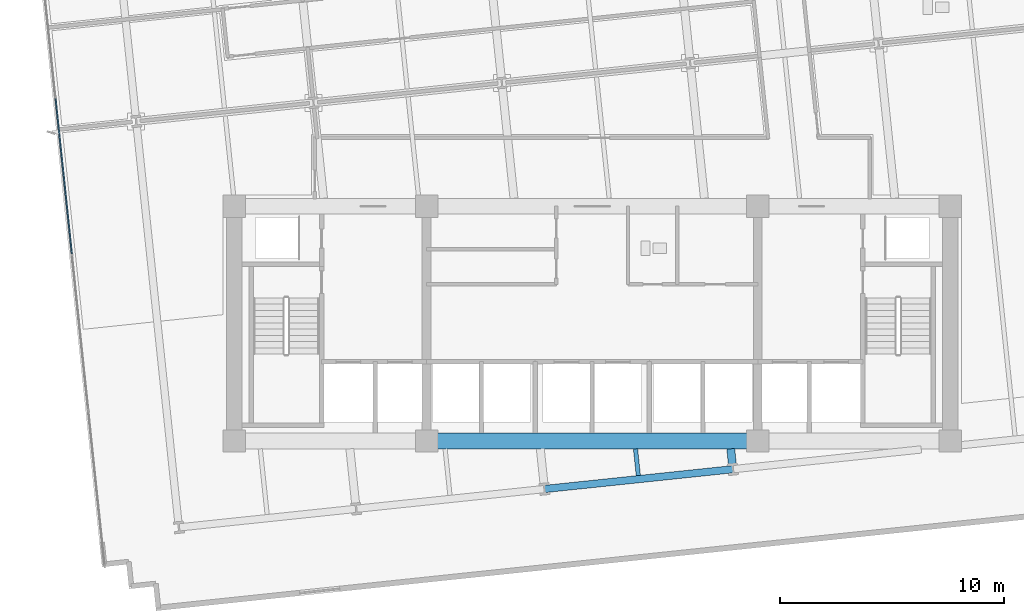
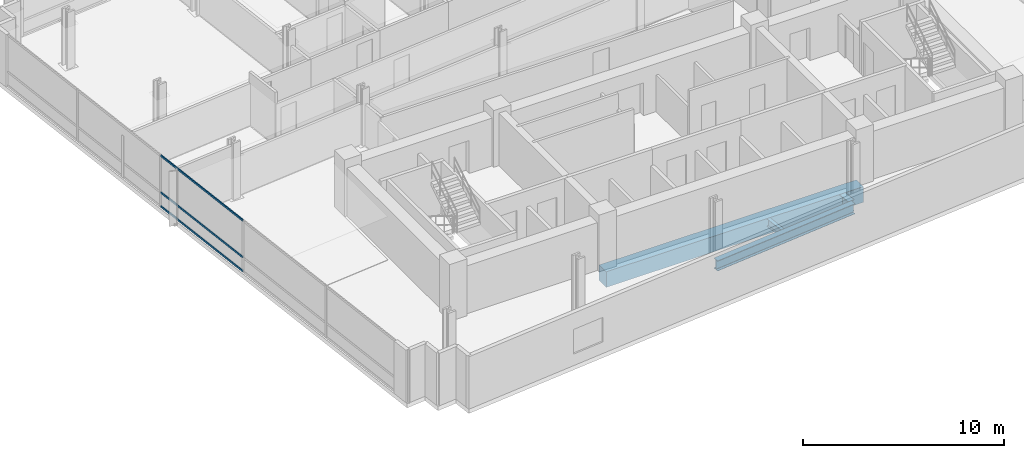
# One storey, part 3 of 21: 4 beams, 3 members, 1 element without a shape of its own.
"""IFC4 building model written with IfcOpenShell, lengths in metres."""

import ifcopenshell
import ifcopenshell.guid

model = None  # the IFC model being written
_history = None  # IfcOwnerHistory: only IFC2X3 demands one
_inside = {}  # id of a spatial element -> (the spatial element, [elements in it])
_under = {}  # id of a project, library or spatial element -> (it, [spatial elements below it])
_declared = {}  # id of a project -> (the project, [libraries it declares])
_typed = {}  # id of a type object -> (the type object, [elements of that type])
_made_of = {}  # id of a material, layer set ... -> (it, [elements and type objects made of it])


def new_model(schema):
    """Start an empty IFC model of exactly this schema.

    Asked for "IFC4X3", IfcOpenShell would pick the latest addendum, in which some entities
    have other attributes; the version numbers below select the first issue.
    IFC2X3 requires an IfcOwnerHistory on every rooted entity: one is made here for all.
    """
    global model, _history
    if schema == "IFC4X3":
        model = ifcopenshell.file(schema_version=(4, 3, 0, 0))
    else:
        model = ifcopenshell.file(schema=schema)
    _inside.clear()
    _under.clear()
    _declared.clear()
    _typed.clear()
    _made_of.clear()
    _history = None
    if model.schema == "IFC2X3":
        org = make("IfcOrganization", Name="unknown")
        user = make(
            "IfcPersonAndOrganization",
            ThePerson=make("IfcPerson", FamilyName="unknown"),
            TheOrganization=org,
        )
        app = make(
            "IfcApplication",
            ApplicationDeveloper=org,
            Version="unknown",
            ApplicationFullName="unknown",
            ApplicationIdentifier="unknown",
        )
        _history = make(
            "IfcOwnerHistory",
            OwningUser=user,
            OwningApplication=app,
            ChangeAction="ADDED",
            CreationDate=0,
        )
    return model


def make(cls, **values):
    """One entity of the class cls with the attributes given. An attribute that is None is left unset."""
    return model.create_entity(
        cls, **{name: value for name, value in values.items() if value is not None}
    )


def rooted(cls, **values):
    """An entity with a GlobalId (a new one), such as an element, a storey or a relation."""
    return make(cls, GlobalId=ifcopenshell.guid.new(), OwnerHistory=_history, **values)


def si_unit(unit_type, name, prefix=None):
    """IfcSIUnit, for example si_unit("LENGTHUNIT", "METRE", prefix="MILLI")."""
    return make("IfcSIUnit", UnitType=unit_type, Prefix=prefix, Name=name)


def assignment(units):
    """IfcUnitAssignment: the units of a project."""
    return None if units is None else make("IfcUnitAssignment", Units=units)


def point(xyz):
    """IfcCartesianPoint."""
    return None if xyz is None else make("IfcCartesianPoint", Coordinates=xyz)


def direction(xyz):
    """IfcDirection."""
    return None if xyz is None else make("IfcDirection", DirectionRatios=xyz)


def frame(location, z_axis=None, x_axis=None):
    """IfcAxis2Placement3D, a coordinate frame: its origin and axes. An axis left out is left unset."""
    return make(
        "IfcAxis2Placement3D",
        Location=point(location),
        Axis=direction(z_axis),
        RefDirection=direction(x_axis),
    )


def frame_2d(location, x_axis=None):
    """IfcAxis2Placement2D, a coordinate frame in the plane: its origin and x axis."""
    return make(
        "IfcAxis2Placement2D", Location=point(location), RefDirection=direction(x_axis)
    )


def origin():
    """The frame at (0, 0, 0) with its axes left unset."""
    return frame((0.0, 0.0, 0.0))


def origin_2d():
    """The frame at (0, 0) in the plane with its x axis left unset."""
    return frame_2d((0.0, 0.0))


def place(relative_to, where):
    """IfcLocalPlacement: puts the frame where relative to a parent placement (None: the world)."""
    return make(
        "IfcLocalPlacement", PlacementRelTo=relative_to, RelativePlacement=where
    )


def context(
    kind, dimensions, precision=None, world=None, true_north=None, identifier=None
):
    """IfcGeometricRepresentationContext, for example the 3D "Model" context."""
    return make(
        "IfcGeometricRepresentationContext",
        ContextIdentifier=identifier,
        ContextType=kind,
        CoordinateSpaceDimension=dimensions,
        Precision=precision,
        WorldCoordinateSystem=world,
        TrueNorth=true_north,
    )


def subcontext(parent, identifier, kind, view, scale=None):
    """IfcGeometricRepresentationSubContext, for example "Body" below "Model"."""
    return make(
        "IfcGeometricRepresentationSubContext",
        ContextIdentifier=identifier,
        ContextType=kind,
        ParentContext=parent,
        TargetScale=scale,
        TargetView=view,
    )


def project(units=None, contexts=None):
    """IfcProject with its units and contexts."""
    return rooted(
        "IfcProject",
        Name="project",
        RepresentationContexts=contexts,
        UnitsInContext=assignment(units),
    )


def spatial(cls, under=None, at=None, **own):
    """A site, building, storey or space (cls), placed at a placement, below another one or the project."""
    s = rooted(cls, ObjectPlacement=at, **own)
    if under is not None:
        _under.setdefault(under.id(), (under, []))[1].append(s)
    return s


def profile(cls, at=None, kind="AREA", **sizes):
    """A parametric profile (cls). Its sizes go by their IFC names, for example OverallWidth=200.0."""
    return make(cls, ProfileType=kind, Position=at, **sizes)


def rectangle(**sizes):
    """IfcRectangleProfileDef."""
    return profile("IfcRectangleProfileDef", **sizes)


def i_section(**sizes):
    """IfcIShapeProfileDef."""
    return profile("IfcIShapeProfileDef", **sizes)


def extrude(swept, where, along, depth):
    """IfcExtrudedAreaSolid: the profile swept, set in the frame where, extruded along a direction by depth."""
    return make(
        "IfcExtrudedAreaSolid",
        SweptArea=swept,
        Position=where,
        ExtrudedDirection=direction(along),
        Depth=depth,
    )


def shape(context_of_items, identifier, shape_type, items):
    """IfcShapeRepresentation: the items that make up one representation, for example the "Body"."""
    return make(
        "IfcShapeRepresentation",
        ContextOfItems=context_of_items,
        RepresentationIdentifier=identifier,
        RepresentationType=shape_type,
        Items=items,
    )


def material(Name=None, Category=None):
    """IfcMaterial."""
    return make("IfcMaterial", Name=Name, Category=Category)


def material_profile(
    of_material, cross_section, Name=None, Category=None, Priority=None
):
    """IfcMaterialProfile: a cross section and its material."""
    return make(
        "IfcMaterialProfile",
        Name=Name,
        Material=of_material,
        Profile=cross_section,
        Priority=Priority,
        Category=Category,
    )


def profile_set(profiles, Name=None, composite=None):
    """IfcMaterialProfileSet."""
    return make(
        "IfcMaterialProfileSet",
        Name=Name,
        MaterialProfiles=profiles,
        CompositeProfile=composite,
    )


def made_of(thing, what):
    """Note that an element or type object is made of a material, layer set ...; save() writes the relation."""
    if what is not None:
        _made_of.setdefault(what.id(), (what, []))[1].append(thing)
    return thing


def type_object(cls, material=None, **own):
    """A type object (cls), such as IfcWallType, which elements share."""
    return made_of(rooted(cls, **own), material)


def element(
    cls,
    number,
    at=None,
    inside=None,
    cuts=None,
    type_object=None,
    material=None,
    context=None,
    identifier="Body",
    shape_type=None,
    held_by="IfcProductDefinitionShape",
    body=None,
    shapes=None,
    **own,
):
    """One element of the class cls, such as IfcWall. Its Tag is "e" and its number.

    at: its placement. inside: the storey or other place that contains it. cuts: it is an
    opening in that element (IfcRelVoidsElement). A single representation is given by context,
    identifier, shape_type and body (its items); several are given by shapes. held_by: the class
    of the entity that holds the representations. save() writes the other relations.
    """
    e = rooted(cls, Tag="e%d" % number, ObjectPlacement=at, **own)
    if body is not None:
        shapes = [shape(context, identifier, shape_type, body)]
    if shapes is not None:
        e.Representation = make(held_by, Representations=shapes)
    if inside is not None:
        _inside.setdefault(inside.id(), (inside, []))[1].append(e)
    if cuts is not None:
        rooted(
            "IfcRelVoidsElement", RelatingBuildingElement=cuts, RelatedOpeningElement=e
        )
    if type_object is not None:
        _typed.setdefault(type_object.id(), (type_object, []))[1].append(e)
    return made_of(e, material)


def aggregate(whole, parts):
    """IfcRelAggregates: a whole, such as a stair, and the parts it consists of."""
    return rooted("IfcRelAggregates", RelatingObject=whole, RelatedObjects=parts)


def save(model, path):
    """Write the relations noted so far, then the file.

    IfcRelAggregates (storeys below a building ...), IfcRelContainedInSpatialStructure (elements
    in a storey), IfcRelDefinesByType, IfcRelAssociatesMaterial and IfcRelDeclares: one each for
    every whole, place, type object, material and project.
    """
    for whole, parts in _under.values():
        aggregate(whole, parts)
    for where, things in _inside.values():
        rooted(
            "IfcRelContainedInSpatialStructure",
            RelatedElements=things,
            RelatingStructure=where,
        )
    for kind, things in _typed.values():
        rooted("IfcRelDefinesByType", RelatedObjects=things, RelatingType=kind)
    for what, things in _made_of.values():
        rooted("IfcRelAssociatesMaterial", RelatedObjects=things, RelatingMaterial=what)
    for by, libraries in _declared.values():
        rooted("IfcRelDeclares", RelatingContext=by, RelatedDefinitions=libraries)
    model.write(path)


model = new_model("IFC4")

# Units and contexts
model_context = context("Model", 3, precision=1e-05, world=origin(), true_north=direction((0.0, 1.0)))
body_context = subcontext(model_context, "Body", "Model", "MODEL_VIEW")
ifc_project = project(units=[si_unit("LENGTHUNIT", "METRE"), si_unit("AREAUNIT", "SQUARE_METRE"), si_unit("VOLUMEUNIT", "CUBIC_METRE"), si_unit("PLANEANGLEUNIT", "RADIAN"), si_unit("MASSUNIT", "GRAM", prefix="KILO")], contexts=[model_context])

# Site, building, storey
site_placement = place(None, origin())
site = spatial("IfcSite", under=ifc_project, at=site_placement, CompositionType="ELEMENT")
building_placement = place(site_placement, origin())
building = spatial("IfcBuilding", under=site, at=building_placement, Name="Solmavex Isthmus Hotel", CompositionType="ELEMENT")
storey_placement = place(building_placement, frame((0.0, 0.0, 106.35009765625)))
storey = spatial("IfcBuildingStorey", under=building, at=storey_placement, Name="L28", CompositionType="ELEMENT", Elevation=106.35009765625)

# Beams
ifc_material_1 = material(Name="Steel ASTM A992 Grade 50", Category="steel")
ifc_material_profile_1 = material_profile(ifc_material_1, i_section(OverallWidth=0.354736328125, OverallDepth=0.695556640625, WebThickness=0.015380859375, FlangeThickness=0.02490234375, FilletRadius=0.017822265625, at=origin_2d()), Name="W27X146")
ifc_profile_set_1 = profile_set([ifc_material_profile_1], Name="Steel ASTM A992 Grade 50")
beam_type_1 = type_object("IfcBeamType", Name="BM-BG-W27X146", PredefinedType="BEAM", material=ifc_profile_set_1)
beam_1_placement = place(storey_placement, frame((6.27099609375, -14.09912109375, -0.60791015625), z_axis=(-0.104381041728, 0.99453737895, 0.0), x_axis=(-0.99453737895, -0.104381041728, 0.0)))
element("IfcBeam", 1, at=beam_1_placement, inside=storey, type_object=beam_type_1, Name="Floor Beam L28-VG36", PredefinedType="BEAM", context=body_context, shape_type="SweptSolid", body=[
    extrude(i_section(OverallWidth=0.354736328125, OverallDepth=0.695556640625, WebThickness=0.015380859375, FlangeThickness=0.02490234375, FilletRadius=0.017822265625, at=origin_2d()), origin(), (0.0, 0.0, 1.0), 0.753173828125),
])
ifc_material_profile_2 = material_profile(ifc_material_1, i_section(OverallWidth=0.1904296875, OverallDepth=0.456787109375, WebThickness=0.009033203125, FlangeThickness=0.014404296875, FilletRadius=0.0126953125, at=origin_2d()), Name="W18X50")
ifc_profile_set_2 = profile_set([ifc_material_profile_2], Name="Steel ASTM A992 Grade 50")
beam_type_2 = type_object("IfcBeamType", Name="BM-BJ-W18X50", PredefinedType="JOIST", material=ifc_profile_set_2)
beam_2_placement = place(storey_placement, frame((2.061279296875, -14.54150390625, -0.488525390625), z_axis=(-0.104546872872, 0.994519960269, 0.0), x_axis=(-0.994519960269, -0.104546872872, 0.0)))
element("IfcBeam", 2, at=beam_2_placement, inside=storey, type_object=beam_type_2, Name="Secondary Floor Joist L28-J09", PredefinedType="JOIST", context=body_context, shape_type="SweptSolid", body=[
    extrude(i_section(OverallWidth=0.1904296875, OverallDepth=0.456787109375, WebThickness=0.009033203125, FlangeThickness=0.014404296875, FilletRadius=0.0126953125, at=origin_2d()), origin(), (0.0, 0.0, 1.0), 1.197998046875),
])
ifc_material_2 = material(Name="Concrete C60/75", Category="concrete")
ifc_material_profile_3 = material_profile(ifc_material_2, rectangle(XDim=0.699951171875, YDim=0.949951171875, at=origin_2d()), Name="RC700X950")
ifc_profile_set_3 = profile_set([ifc_material_profile_3], Name="Concrete C60/75")
beam_type_3 = type_object("IfcBeamType", Name="BM-CB-700X950", PredefinedType="BEAM", material=ifc_profile_set_3)
beam_3_placement = place(storey_placement, frame((-7.39990234375, -13.0, -0.735107421875), z_axis=(1.0, 0.0, 0.0), x_axis=(0.0, 1.0, 0.0)))
element("IfcBeam", 3, at=beam_3_placement, inside=storey, type_object=beam_type_3, Name="Core Coupling Beam L28-CB2", PredefinedType="BEAM", context=body_context, shape_type="SweptSolid", body=[
    extrude(rectangle(XDim=0.699951171875, YDim=0.949951171875, at=origin_2d()), origin(), (0.0, 0.0, 1.0), 14.7998046875),
])
ifc_material_profile_4 = material_profile(ifc_material_1, i_section(OverallWidth=0.326416015625, OverallDepth=0.621826171875, WebThickness=0.015380859375, FlangeThickness=0.0244140625, FilletRadius=0.01513671875, at=origin_2d()), Name="W24X131")
ifc_profile_set_4 = profile_set([ifc_material_profile_4], Name="Steel ASTM A992 Grade 50")
beam_type_4 = type_object("IfcBeamType", Name="BM-SP-W24X131", PredefinedType="SPANDREL", material=ifc_profile_set_4)
beam_4_placement = place(storey_placement, frame((-2.131591796875, -15.146484375, -0.571044921875), z_axis=(0.994521085209, 0.104536171134, 0.0), x_axis=(-0.104536171134, 0.994521085209, 0.0)))
element("IfcBeam", 4, at=beam_4_placement, inside=storey, type_object=beam_type_4, Name="Floor Girder L28-UG03", PredefinedType="SPANDREL", context=body_context, shape_type="SweptSolid", body=[
    extrude(i_section(OverallWidth=0.326416015625, OverallDepth=0.621826171875, WebThickness=0.015380859375, FlangeThickness=0.0244140625, FilletRadius=0.01513671875, at=origin_2d()), origin(), (0.0, 0.0, 1.0), 8.466064453125),
])

# Curtain wall, members
ifc_material_3 = material(Name="Aluminium alloy 6063-T6", Category="aluminium")
curtain_wall_type = type_object("IfcCurtainWallType", Name="CW-SYS-06", PredefinedType="NOTDEFINED", material=ifc_material_3)
curtain_wall_placement = place(storey_placement, origin())
curtain_wall = element("IfcCurtainWall", 5, at=curtain_wall_placement, inside=storey, type_object=curtain_wall_type, Name="Stick Curtain Wall CWL-L28-W1", PredefinedType="NOTDEFINED")
ifc_material_profile_5 = material_profile(ifc_material_3, rectangle(XDim=0.06005859375, YDim=0.114990234375, at=origin_2d()), Name="CWT-60X115")
ifc_profile_set_5 = profile_set([ifc_material_profile_5], Name="Aluminium alloy 6063-T6")
member_type = type_object("IfcMemberType", Name="CW-SYS-06-TRN", PredefinedType="USERDEFINED", material=ifc_profile_set_5)
member_1_placement = place(storey_placement, frame((-23.2607421875, -4.62744140625, 0.057373046875), z_axis=(-0.104531402636, 0.994521586424, 0.0), x_axis=(-0.994521586424, -0.104531402636, 0.0)))
member_1 = element("IfcMember", 6, at=member_1_placement, type_object=member_type, Name="CW-06 transom 3.1", ObjectType="TRANSOM", PredefinedType="USERDEFINED", context=body_context, shape_type="SweptSolid", body=[
    extrude(rectangle(XDim=0.06005859375, YDim=0.114990234375, at=origin_2d()), origin(), (0.0, 0.0, 1.0), 6.9599609375),
])
member_2_placement = place(storey_placement, frame((-23.2607421875, -4.62744140625, 0.89990234375), z_axis=(-0.104531402636, 0.994521586424, 0.0), x_axis=(-0.994521586424, -0.104531402636, 0.0)))
member_2 = element("IfcMember", 7, at=member_2_placement, type_object=member_type, Name="CW-06 transom 3.2", ObjectType="TRANSOM", PredefinedType="USERDEFINED", context=body_context, shape_type="SweptSolid", body=[
    extrude(rectangle(XDim=0.06005859375, YDim=0.114990234375, at=origin_2d()), origin(), (0.0, 0.0, 1.0), 6.9599609375),
])
member_3_placement = place(storey_placement, frame((-23.2607421875, -4.62744140625, 3.13232421875), z_axis=(-0.104531402636, 0.994521586424, 0.0), x_axis=(-0.994521586424, -0.104531402636, 0.0)))
member_3 = element("IfcMember", 8, at=member_3_placement, type_object=member_type, Name="CW-06 transom 3.3", ObjectType="TRANSOM", PredefinedType="USERDEFINED", context=body_context, shape_type="SweptSolid", body=[
    extrude(rectangle(XDim=0.06005859375, YDim=0.114990234375, at=origin_2d()), origin(), (0.0, 0.0, 1.0), 6.9599609375),
])
aggregate(curtain_wall, [member_1, member_2, member_3])

save(model, "model.ifc")
